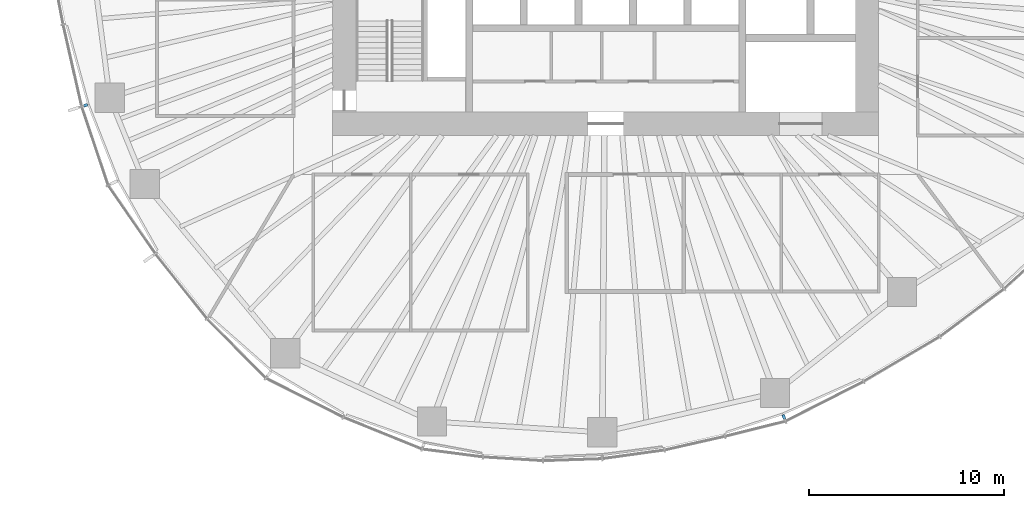
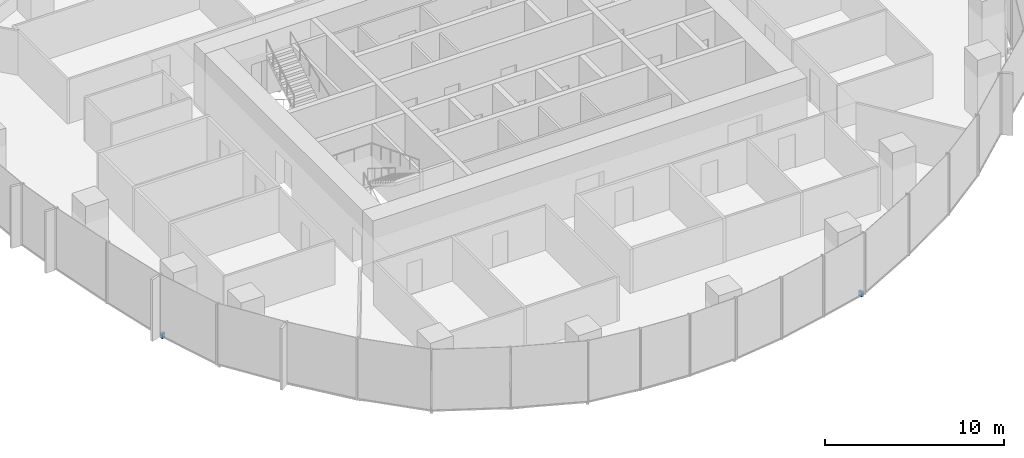
# One storey, part 13 of 18: 2 discrete accessories.
"""IFC4 building model written with IfcOpenShell, lengths in metres."""

from ifc_helpers import new_model, si_unit, direction, frame, origin, origin_2d, place, context, subcontext, project, spatial, rectangle, extrude, material, type_object, element, save


model = new_model("IFC4")

# Units and contexts
model_context = context("Model", 3, precision=1e-05, world=origin(), true_north=direction((0.0, 1.0)))
body_context = subcontext(model_context, "Body", "Model", "MODEL_VIEW")
ifc_project = project(units=[si_unit("LENGTHUNIT", "METRE"), si_unit("AREAUNIT", "SQUARE_METRE"), si_unit("VOLUMEUNIT", "CUBIC_METRE"), si_unit("PLANEANGLEUNIT", "RADIAN"), si_unit("MASSUNIT", "GRAM", prefix="KILO")], contexts=[model_context])

# Site, building, storey
site_placement = place(None, origin())
site = spatial("IfcSite", under=ifc_project, at=site_placement, CompositionType="ELEMENT")
building_placement = place(site_placement, origin())
building = spatial("IfcBuilding", under=site, at=building_placement, Name="Ghaith Harvest Tower", CompositionType="ELEMENT")
storey_placement = place(building_placement, frame((0.0, 0.0, 130.199951171875)))
storey = spatial("IfcBuildingStorey", under=building, at=storey_placement, Name="L27", CompositionType="ELEMENT", Elevation=130.199951171875)

# Discrete accessories
ifc_material_1 = material(Name="Stainless steel grade 1.4401", Category="steel")
discrete_accessory_type_1 = type_object("IfcDiscreteAccessoryType", Name="CURTAIN WALL BRACKET 205", PredefinedType="BRACKET", material=ifc_material_1)
discrete_accessory_1_placement = place(storey_placement, frame((-26.673095703125, -8.453125, -0.25), z_axis=(0.0, 0.0, 1.0), x_axis=(-0.953273219416, -0.302109531701, 0.0)))
element("IfcDiscreteAccessory", 1, at=discrete_accessory_1_placement, inside=storey, type_object=discrete_accessory_type_1, Name="CW-L bracket 1 bay 12 L27", PredefinedType="BRACKET", context=body_context, shape_type="SweptSolid", body=[
    extrude(rectangle(XDim=0.205078125, YDim=0.14990234375, at=origin_2d()), origin(), (0.0, 0.0, 1.0), 0.35009765625),
])
ifc_material_2 = material(Name="Stainless steel grade 1.4401", Category="steel")
discrete_accessory_type_2 = type_object("IfcDiscreteAccessoryType", Name="CURTAIN WALL BRACKET 245", PredefinedType="BRACKET", material=ifc_material_2)
discrete_accessory_2_placement = place(storey_placement, frame((9.135498046875, -24.436767578125, -0.25), z_axis=(0.0, 0.0, 1.0), x_axis=(0.35016769691, -0.93668702566, 0.0)))
element("IfcDiscreteAccessory", 2, at=discrete_accessory_2_placement, inside=storey, type_object=discrete_accessory_type_2, Name="CW-L bracket 1 bay 17 L27", PredefinedType="BRACKET", context=body_context, shape_type="SweptSolid", body=[
    extrude(rectangle(XDim=0.2451171875, YDim=0.14990234375, at=origin_2d()), origin(), (0.0, 0.0, 1.0), 0.35009765625),
])

save(model, "model.ifc")
